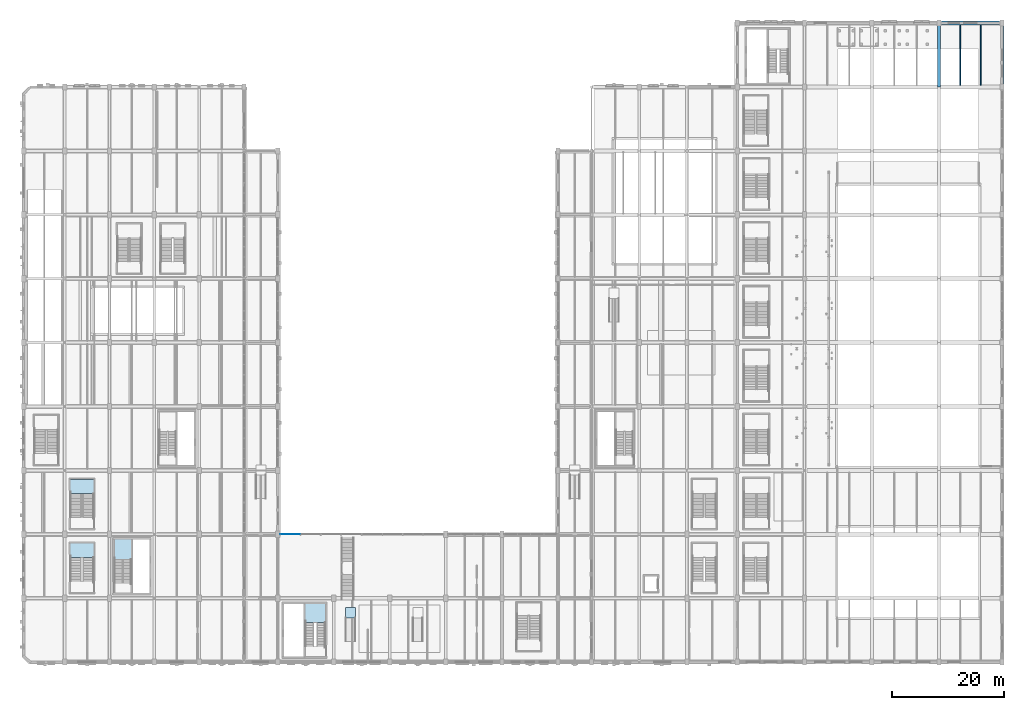
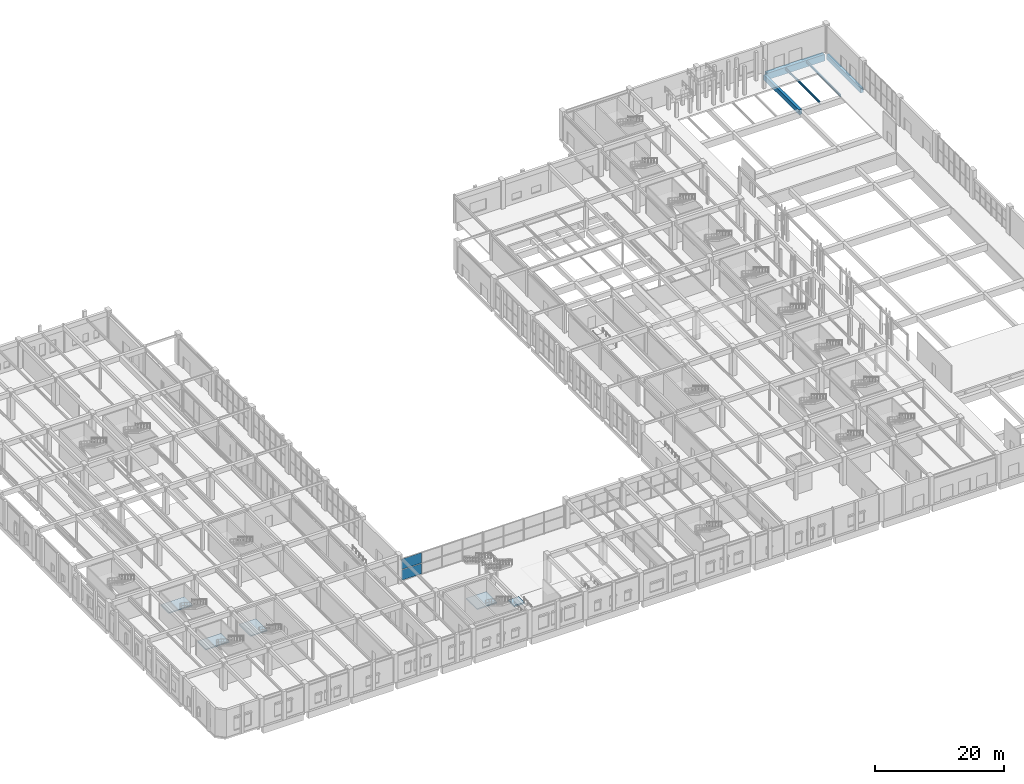
# One storey, part 72 of 113: 5 beams, 5 slabs, 2 plates, 5 elements without a shape of their own.
"""IFC4 building model written with IfcOpenShell, lengths in metres."""

import ifcopenshell
import ifcopenshell.guid

model = None  # the IFC model being written
_history = None  # IfcOwnerHistory: only IFC2X3 demands one
_inside = {}  # id of a spatial element -> (the spatial element, [elements in it])
_under = {}  # id of a project, library or spatial element -> (it, [spatial elements below it])
_declared = {}  # id of a project -> (the project, [libraries it declares])
_typed = {}  # id of a type object -> (the type object, [elements of that type])
_made_of = {}  # id of a material, layer set ... -> (it, [elements and type objects made of it])


def new_model(schema):
    """Start an empty IFC model of exactly this schema.

    Asked for "IFC4X3", IfcOpenShell would pick the latest addendum, in which some entities
    have other attributes; the version numbers below select the first issue.
    IFC2X3 requires an IfcOwnerHistory on every rooted entity: one is made here for all.
    """
    global model, _history
    if schema == "IFC4X3":
        model = ifcopenshell.file(schema_version=(4, 3, 0, 0))
    else:
        model = ifcopenshell.file(schema=schema)
    _inside.clear()
    _under.clear()
    _declared.clear()
    _typed.clear()
    _made_of.clear()
    _history = None
    if model.schema == "IFC2X3":
        org = make("IfcOrganization", Name="unknown")
        user = make(
            "IfcPersonAndOrganization",
            ThePerson=make("IfcPerson", FamilyName="unknown"),
            TheOrganization=org,
        )
        app = make(
            "IfcApplication",
            ApplicationDeveloper=org,
            Version="unknown",
            ApplicationFullName="unknown",
            ApplicationIdentifier="unknown",
        )
        _history = make(
            "IfcOwnerHistory",
            OwningUser=user,
            OwningApplication=app,
            ChangeAction="ADDED",
            CreationDate=0,
        )
    return model


def make(cls, **values):
    """One entity of the class cls with the attributes given. An attribute that is None is left unset."""
    return model.create_entity(
        cls, **{name: value for name, value in values.items() if value is not None}
    )


def rooted(cls, **values):
    """An entity with a GlobalId (a new one), such as an element, a storey or a relation."""
    return make(cls, GlobalId=ifcopenshell.guid.new(), OwnerHistory=_history, **values)


def si_unit(unit_type, name, prefix=None):
    """IfcSIUnit, for example si_unit("LENGTHUNIT", "METRE", prefix="MILLI")."""
    return make("IfcSIUnit", UnitType=unit_type, Prefix=prefix, Name=name)


def assignment(units):
    """IfcUnitAssignment: the units of a project."""
    return None if units is None else make("IfcUnitAssignment", Units=units)


def point(xyz):
    """IfcCartesianPoint."""
    return None if xyz is None else make("IfcCartesianPoint", Coordinates=xyz)


def direction(xyz):
    """IfcDirection."""
    return None if xyz is None else make("IfcDirection", DirectionRatios=xyz)


def frame(location, z_axis=None, x_axis=None):
    """IfcAxis2Placement3D, a coordinate frame: its origin and axes. An axis left out is left unset."""
    return make(
        "IfcAxis2Placement3D",
        Location=point(location),
        Axis=direction(z_axis),
        RefDirection=direction(x_axis),
    )


def frame_2d(location, x_axis=None):
    """IfcAxis2Placement2D, a coordinate frame in the plane: its origin and x axis."""
    return make(
        "IfcAxis2Placement2D", Location=point(location), RefDirection=direction(x_axis)
    )


def origin():
    """The frame at (0, 0, 0) with its axes left unset."""
    return frame((0.0, 0.0, 0.0))


def origin_2d():
    """The frame at (0, 0) in the plane with its x axis left unset."""
    return frame_2d((0.0, 0.0))


def place(relative_to, where):
    """IfcLocalPlacement: puts the frame where relative to a parent placement (None: the world)."""
    return make(
        "IfcLocalPlacement", PlacementRelTo=relative_to, RelativePlacement=where
    )


def context(
    kind, dimensions, precision=None, world=None, true_north=None, identifier=None
):
    """IfcGeometricRepresentationContext, for example the 3D "Model" context."""
    return make(
        "IfcGeometricRepresentationContext",
        ContextIdentifier=identifier,
        ContextType=kind,
        CoordinateSpaceDimension=dimensions,
        Precision=precision,
        WorldCoordinateSystem=world,
        TrueNorth=true_north,
    )


def subcontext(parent, identifier, kind, view, scale=None):
    """IfcGeometricRepresentationSubContext, for example "Body" below "Model"."""
    return make(
        "IfcGeometricRepresentationSubContext",
        ContextIdentifier=identifier,
        ContextType=kind,
        ParentContext=parent,
        TargetScale=scale,
        TargetView=view,
    )


def project(units=None, contexts=None):
    """IfcProject with its units and contexts."""
    return rooted(
        "IfcProject",
        Name="project",
        RepresentationContexts=contexts,
        UnitsInContext=assignment(units),
    )


def spatial(cls, under=None, at=None, **own):
    """A site, building, storey or space (cls), placed at a placement, below another one or the project."""
    s = rooted(cls, ObjectPlacement=at, **own)
    if under is not None:
        _under.setdefault(under.id(), (under, []))[1].append(s)
    return s


def polyline(points):
    """IfcPolyline through the points."""
    return make("IfcPolyline", Points=[point(p) for p in points])


def profile(cls, at=None, kind="AREA", **sizes):
    """A parametric profile (cls). Its sizes go by their IFC names, for example OverallWidth=200.0."""
    return make(cls, ProfileType=kind, Position=at, **sizes)


def rectangle(**sizes):
    """IfcRectangleProfileDef."""
    return profile("IfcRectangleProfileDef", **sizes)


def i_section(**sizes):
    """IfcIShapeProfileDef."""
    return profile("IfcIShapeProfileDef", **sizes)


def outline(outer, holes=None, kind="AREA"):
    """IfcArbitraryClosedProfileDef: a profile drawn as a closed curve; with holes, ...WithVoids."""
    if holes is None:
        return make("IfcArbitraryClosedProfileDef", ProfileType=kind, OuterCurve=outer)
    return make(
        "IfcArbitraryProfileDefWithVoids",
        ProfileType=kind,
        OuterCurve=outer,
        InnerCurves=holes,
    )


def extrude(swept, where, along, depth):
    """IfcExtrudedAreaSolid: the profile swept, set in the frame where, extruded along a direction by depth."""
    return make(
        "IfcExtrudedAreaSolid",
        SweptArea=swept,
        Position=where,
        ExtrudedDirection=direction(along),
        Depth=depth,
    )


def shape(context_of_items, identifier, shape_type, items):
    """IfcShapeRepresentation: the items that make up one representation, for example the "Body"."""
    return make(
        "IfcShapeRepresentation",
        ContextOfItems=context_of_items,
        RepresentationIdentifier=identifier,
        RepresentationType=shape_type,
        Items=items,
    )


def material(Name=None, Category=None):
    """IfcMaterial."""
    return make("IfcMaterial", Name=Name, Category=Category)


def layer(
    of_material, thickness, ventilated=None, Name=None, Category=None, Priority=None
):
    """IfcMaterialLayer: one layer of a wall or slab, of a material (None: an air gap)."""
    return make(
        "IfcMaterialLayer",
        Material=of_material,
        LayerThickness=thickness,
        IsVentilated=ventilated,
        Name=Name,
        Category=Category,
        Priority=Priority,
    )


def layer_set(layers, Name=None):
    """IfcMaterialLayerSet."""
    return make("IfcMaterialLayerSet", MaterialLayers=layers, LayerSetName=Name)


def material_profile(
    of_material, cross_section, Name=None, Category=None, Priority=None
):
    """IfcMaterialProfile: a cross section and its material."""
    return make(
        "IfcMaterialProfile",
        Name=Name,
        Material=of_material,
        Profile=cross_section,
        Priority=Priority,
        Category=Category,
    )


def profile_set(profiles, Name=None, composite=None):
    """IfcMaterialProfileSet."""
    return make(
        "IfcMaterialProfileSet",
        Name=Name,
        MaterialProfiles=profiles,
        CompositeProfile=composite,
    )


def made_of(thing, what):
    """Note that an element or type object is made of a material, layer set ...; save() writes the relation."""
    if what is not None:
        _made_of.setdefault(what.id(), (what, []))[1].append(thing)
    return thing


def type_object(cls, material=None, **own):
    """A type object (cls), such as IfcWallType, which elements share."""
    return made_of(rooted(cls, **own), material)


def element(
    cls,
    number,
    at=None,
    inside=None,
    cuts=None,
    type_object=None,
    material=None,
    context=None,
    identifier="Body",
    shape_type=None,
    held_by="IfcProductDefinitionShape",
    body=None,
    shapes=None,
    **own,
):
    """One element of the class cls, such as IfcWall. Its Tag is "e" and its number.

    at: its placement. inside: the storey or other place that contains it. cuts: it is an
    opening in that element (IfcRelVoidsElement). A single representation is given by context,
    identifier, shape_type and body (its items); several are given by shapes. held_by: the class
    of the entity that holds the representations. save() writes the other relations.
    """
    e = rooted(cls, Tag="e%d" % number, ObjectPlacement=at, **own)
    if body is not None:
        shapes = [shape(context, identifier, shape_type, body)]
    if shapes is not None:
        e.Representation = make(held_by, Representations=shapes)
    if inside is not None:
        _inside.setdefault(inside.id(), (inside, []))[1].append(e)
    if cuts is not None:
        rooted(
            "IfcRelVoidsElement", RelatingBuildingElement=cuts, RelatedOpeningElement=e
        )
    if type_object is not None:
        _typed.setdefault(type_object.id(), (type_object, []))[1].append(e)
    return made_of(e, material)


def aggregate(whole, parts):
    """IfcRelAggregates: a whole, such as a stair, and the parts it consists of."""
    return rooted("IfcRelAggregates", RelatingObject=whole, RelatedObjects=parts)


def save(model, path):
    """Write the relations noted so far, then the file.

    IfcRelAggregates (storeys below a building ...), IfcRelContainedInSpatialStructure (elements
    in a storey), IfcRelDefinesByType, IfcRelAssociatesMaterial and IfcRelDeclares: one each for
    every whole, place, type object, material and project.
    """
    for whole, parts in _under.values():
        aggregate(whole, parts)
    for where, things in _inside.values():
        rooted(
            "IfcRelContainedInSpatialStructure",
            RelatedElements=things,
            RelatingStructure=where,
        )
    for kind, things in _typed.values():
        rooted("IfcRelDefinesByType", RelatedObjects=things, RelatingType=kind)
    for what, things in _made_of.values():
        rooted("IfcRelAssociatesMaterial", RelatedObjects=things, RelatingMaterial=what)
    for by, libraries in _declared.values():
        rooted("IfcRelDeclares", RelatingContext=by, RelatedDefinitions=libraries)
    model.write(path)


model = new_model("IFC4")

# Units and contexts
model_context = context("Model", 3, precision=1e-05, world=origin(), true_north=direction((0.0, 1.0)))
body_context = subcontext(model_context, "Body", "Model", "MODEL_VIEW")
ifc_project = project(units=[si_unit("LENGTHUNIT", "METRE"), si_unit("AREAUNIT", "SQUARE_METRE"), si_unit("VOLUMEUNIT", "CUBIC_METRE"), si_unit("PLANEANGLEUNIT", "RADIAN"), si_unit("MASSUNIT", "GRAM", prefix="KILO"), si_unit("POWERUNIT", "WATT"), si_unit("THERMODYNAMICTEMPERATUREUNIT", "KELVIN")], contexts=[model_context])

# Site, building, storey
site_placement = place(None, origin())
site = spatial("IfcSite", under=ifc_project, at=site_placement, CompositionType="ELEMENT")
building_placement = place(site_placement, origin())
building = spatial("IfcBuilding", under=site, at=building_placement, Name="Kelmbourne Parkland Aquatics Centre", CompositionType="ELEMENT")
storey_placement = place(building_placement, origin())
storey = spatial("IfcBuildingStorey", under=building, at=storey_placement, Name="L00", CompositionType="ELEMENT", Elevation=0.0)

# Beams
ifc_material_1 = material(Name="Concrete C40/50", Category="concrete")
ifc_material_profile_1 = material_profile(ifc_material_1, rectangle(XDim=0.5, YDim=0.89990234375, at=origin_2d()), Name="RC 500x900")
ifc_profile_set_1 = profile_set([ifc_material_profile_1], Name="Concrete C40/50")
beam_type_1 = type_object("IfcBeamType", Name="BM-G03", PredefinedType="BEAM", material=ifc_profile_set_1)
beam_1_placement = place(storey_placement, frame((164.0, 103.39990234375, -0.72998046875), z_axis=(0.0, 1.0, 0.0), x_axis=(-1.0, 0.0, 0.0)))
element("IfcBeam", 1, at=beam_1_placement, inside=storey, type_object=beam_type_1, Name="Primary girder 13-14 Grid S (L00)", PredefinedType="BEAM", context=body_context, shape_type="SweptSolid", body=[
    extrude(rectangle(XDim=0.5, YDim=0.89990234375, at=origin_2d()), origin(), (0.0, 0.0, 1.0), 10.9951171875),
])
beam_2_placement = place(storey_placement, frame((175.199951171875, 103.679931640625, -0.72998046875), z_axis=(0.0, 1.0, 0.0), x_axis=(-1.0, 0.0, 0.0)))
element("IfcBeam", 2, at=beam_2_placement, inside=storey, type_object=beam_type_1, Name="Primary girder 13-14 Grid T (L00)", PredefinedType="BEAM", context=body_context, shape_type="SweptSolid", body=[
    extrude(rectangle(XDim=0.5, YDim=0.89990234375, at=origin_2d()), origin(), (0.0, 0.0, 1.0), 10.6650390625),
])
ifc_material_2 = material(Name="Concrete C50/60", Category="concrete")
ifc_material_profile_2 = material_profile(ifc_material_2, rectangle(XDim=0.699951171875, YDim=1.25, at=origin_2d()), Name="RC 700x1250")
ifc_profile_set_2 = profile_set([ifc_material_profile_2], Name="Concrete C50/60")
beam_type_2 = type_object("IfcBeamType", Name="BM-G08", PredefinedType="BEAM", material=ifc_profile_set_2)
beam_3_placement = place(storey_placement, frame((164.405029296875, 114.800048828125, -0.905029296875), z_axis=(1.0, 0.0, 0.0), x_axis=(0.0, 1.0, 0.0)))
element("IfcBeam", 3, at=beam_3_placement, inside=storey, type_object=beam_type_2, Name="Primary girder S-T Grid 14 (L00)", PredefinedType="BEAM", context=body_context, shape_type="SweptSolid", body=[
    extrude(rectangle(XDim=0.699951171875, YDim=1.25, at=origin_2d()), origin(), (0.0, 0.0, 1.0), 10.340087890625),
])
ifc_material_3 = material(Name="Structural steel AS/NZS 3679.1 Grade 300", Category="steel")
ifc_material_profile_3 = material_profile(ifc_material_3, i_section(OverallWidth=0.177978515625, OverallDepth=0.406005859375, WebThickness=0.0078125, FlangeThickness=0.0126953125, at=origin_2d()), Name="410UB59.7")
ifc_profile_set_3 = profile_set([ifc_material_profile_3], Name="Structural steel AS/NZS 3679.1 Grade 300")
beam_type_3 = type_object("IfcBeamType", Name="BM-J01", PredefinedType="JOIST", material=ifc_profile_set_3)
for number, where, z_axis, x_axis, name in (
    (4, (167.7333984375, 103.741943359375, -0.48291015625), (0.0, 1.0, 0.0), (-1.0, 0.0, 0.0), "Secondary floor joist S-T/13-14 #1 (L00)"),
    (5, (171.466796875, 103.741943359375, -0.48291015625), (0.0, 1.0, 0.0), (-1.0, 0.0, 0.0), "Secondary floor joist S-T/13-14 #2 (L00)"),
):
    element("IfcBeam", number, at=place(storey_placement, frame(where, z_axis=z_axis, x_axis=x_axis)), inside=storey, type_object=beam_type_3, Name=name, PredefinedType="JOIST", context=body_context, shape_type="SweptSolid", body=[
        extrude(i_section(OverallWidth=0.177978515625, OverallDepth=0.406005859375, WebThickness=0.0078125, FlangeThickness=0.0126953125, at=origin_2d()), origin(), (0.0, 0.0, 1.0), 10.716064453125),
    ])

# Curtain wall, plates
ifc_material_4 = material(Name="Thermally broken anodised aluminium framing", Category="aluminium")
ifc_layer_1 = layer(ifc_material_4, 0.179931640625)
ifc_layer_set_1 = layer_set([ifc_layer_1], Name="Thermally broken anodised aluminium framing")
curtain_wall_type = type_object("IfcCurtainWallType", Name="CW-24", PredefinedType="NOTDEFINED", material=ifc_layer_set_1)
curtain_wall_placement = place(storey_placement, origin())
curtain_wall = element("IfcCurtainWall", 6, at=curtain_wall_placement, inside=storey, type_object=curtain_wall_type, Name="Facade curtain wall CW-L00-168", PredefinedType="NOTDEFINED")
ifc_material_5 = material(Name="Double-glazed low-e laminated safety glass", Category="glass")
ifc_layer_2 = layer(ifc_material_5, 0.02392578125)
ifc_layer_set_2 = layer_set([ifc_layer_2], Name="Double-glazed low-e laminated safety glass")
plate_type_1 = type_object("IfcPlateType", Name="PL-CWP-1", PredefinedType="CURTAIN_PANEL", material=ifc_layer_set_2)
plate_1_placement = place(storey_placement, frame((48.240478515625, 23.60009765625, 0.1171875), z_axis=(0.0, 0.0, 1.0), x_axis=(1.0, 0.0, 0.0)))
plate_1 = element("IfcPlate", 7, at=plate_1_placement, type_object=plate_type_1, Name="CW-L00-168 vision glazing 0-0", PredefinedType="CURTAIN_PANEL", context=body_context, shape_type="SweptSolid", body=[
    extrude(rectangle(XDim=3.549072265625, YDim=0.02392578125, at=origin_2d()), origin(), (0.0, 0.0, 1.0), 1.951416015625),
])
ifc_layer_3 = layer(ifc_material_5, 0.035888671875)
ifc_layer_set_3 = layer_set([ifc_layer_3], Name="Double-glazed low-e laminated safety glass")
plate_type_2 = type_object("IfcPlateType", Name="PL-CWP-2", PredefinedType="CURTAIN_PANEL", material=ifc_layer_set_3)
plate_2_placement = place(storey_placement, frame((48.240478515625, 23.60009765625, 2.1767578125), z_axis=(0.0, 0.0, 1.0), x_axis=(1.0, 0.0, 0.0)))
plate_2 = element("IfcPlate", 8, at=plate_2_placement, type_object=plate_type_2, Name="CW-L00-168 vision glazing 1-0", PredefinedType="CURTAIN_PANEL", context=body_context, shape_type="SweptSolid", body=[
    extrude(rectangle(XDim=3.549072265625, YDim=0.035888671875, at=origin_2d()), origin(), (0.0, 0.0, 1.0), 1.951416015625),
])
aggregate(curtain_wall, [plate_1, plate_2])

# Stair, slab
stair_type_1 = type_object("IfcStairType", Name="ST-T02", PredefinedType="HALF_TURN_STAIR", material=ifc_material_1)
stair_1_placement = place(storey_placement, origin())
stair_1 = element("IfcStair", 9, at=stair_1_placement, inside=storey, type_object=stair_type_1, Name="West Wing South Fire-Fighting Core Stair ST01 (L00)", PredefinedType="HALF_TURN_STAIR")
ifc_layer_4 = layer(ifc_material_1, 0.199951171875)
ifc_layer_set_4 = layer_set([ifc_layer_4], Name="Concrete C40/50")
slab_type = type_object("IfcSlabType", Name="SL-LND-20", PredefinedType="LANDING", material=ifc_layer_set_4)
slab_1_placement = place(storey_placement, frame((0.0, 0.0, 2.5)))
slab_1 = element("IfcSlab", 10, at=slab_1_placement, type_object=slab_type, Name="West Wing South Fire-Fighting Core Stair ST01 half-landing (L00)", PredefinedType="LANDING", context=body_context, shape_type="SweptSolid", body=[
    extrude(outline(polyline([(16.8798828125, 19.14990234375), (19.89501953125, 19.14990234375), (19.89501953125, 22.719970703125), (16.8798828125, 22.719970703125), (16.8798828125, 19.14990234375)])), origin(), (0.0, 0.0, 1.0), 0.199951171875),
])
aggregate(stair_1, [slab_1])

stair_type_2 = type_object("IfcStairType", Name="ST-T11", PredefinedType="HALF_TURN_STAIR", material=ifc_material_1)
stair_2_placement = place(storey_placement, origin())
stair_2 = element("IfcStair", 11, at=stair_2_placement, inside=storey, type_object=stair_type_2, Name="South Entrance Foyer Gallery Core Stair ST03 (L00)", PredefinedType="HALF_TURN_STAIR")
slab_2_placement = place(storey_placement, frame((0.0, 0.0, 2.5)))
slab_2 = element("IfcSlab", 12, at=slab_2_placement, type_object=slab_type, Name="South Entrance Foyer Gallery Core Stair ST03 half-landing (L00)", PredefinedType="LANDING", context=body_context, shape_type="SweptSolid", body=[
    extrude(outline(polyline([(50.905029296875, 7.85009765625), (54.52001953125, 7.85009765625), (54.52001953125, 11.219970703125), (50.905029296875, 11.219970703125), (50.905029296875, 7.85009765625)])), origin(), (0.0, 0.0, 1.0), 0.199951171875),
])
aggregate(stair_2, [slab_2])

stair_type_3 = type_object("IfcStairType", Name="ST-T21", PredefinedType="HALF_TURN_STAIR", material=ifc_material_1)
stair_3_placement = place(storey_placement, origin())
stair_3 = element("IfcStair", 13, at=stair_3_placement, inside=storey, type_object=stair_type_3, Name="West South Perimeter Exit Stair (L00)", PredefinedType="HALF_TURN_STAIR")
slab_3_placement = place(storey_placement, frame((0.0, 0.0, 2.5)))
slab_3 = element("IfcSlab", 14, at=slab_3_placement, type_object=slab_type, Name="West South Perimeter Exit Stair half-landing (L00)", PredefinedType="LANDING", context=body_context, shape_type="SweptSolid", body=[
    extrude(outline(polyline([(8.97998046875, 19.449951171875), (13.219970703125, 19.449951171875), (13.219970703125, 22.02001953125), (8.97998046875, 22.02001953125), (8.97998046875, 19.449951171875)])), origin(), (0.0, 0.0, 1.0), 0.199951171875),
])
aggregate(stair_3, [slab_3])

stair_type_4 = type_object("IfcStairType", Name="ST-T25", PredefinedType="HALF_TURN_STAIR", material=ifc_material_1)
stair_4_placement = place(storey_placement, origin())
stair_4 = element("IfcStair", 15, at=stair_4_placement, inside=storey, type_object=stair_type_4, Name="West Central Park Exit Stair (L00)", PredefinedType="HALF_TURN_STAIR")
slab_4_placement = place(storey_placement, frame((0.0, 0.0, 2.5)))
slab_4 = element("IfcSlab", 16, at=slab_4_placement, type_object=slab_type, Name="West Central Park Exit Stair half-landing (L00)", PredefinedType="LANDING", context=body_context, shape_type="SweptSolid", body=[
    extrude(outline(polyline([(8.97998046875, 30.85009765625), (13.219970703125, 30.85009765625), (13.219970703125, 33.419921875), (8.97998046875, 33.419921875), (8.97998046875, 30.85009765625)])), origin(), (0.0, 0.0, 1.0), 0.199951171875),
])
aggregate(stair_4, [slab_4])

# Slab
slab_5_placement = place(storey_placement, frame((0.0, 0.0, 0.02001953125)))
element("IfcSlab", 17, at=slab_5_placement, inside=storey, type_object=slab_type, Name="South Entrance Accessible Ramp West upper plinth landing", PredefinedType="LANDING", context=body_context, shape_type="SweptSolid", body=[
    extrude(outline(polyline([(58.10009765625, 8.699951171875), (59.89990234375, 8.699951171875), (59.89990234375, 10.5), (58.10009765625, 10.5), (58.10009765625, 8.699951171875)])), origin(), (0.0, 0.0, 1.0), 0.280029296875),
])

save(model, "model.ifc")
